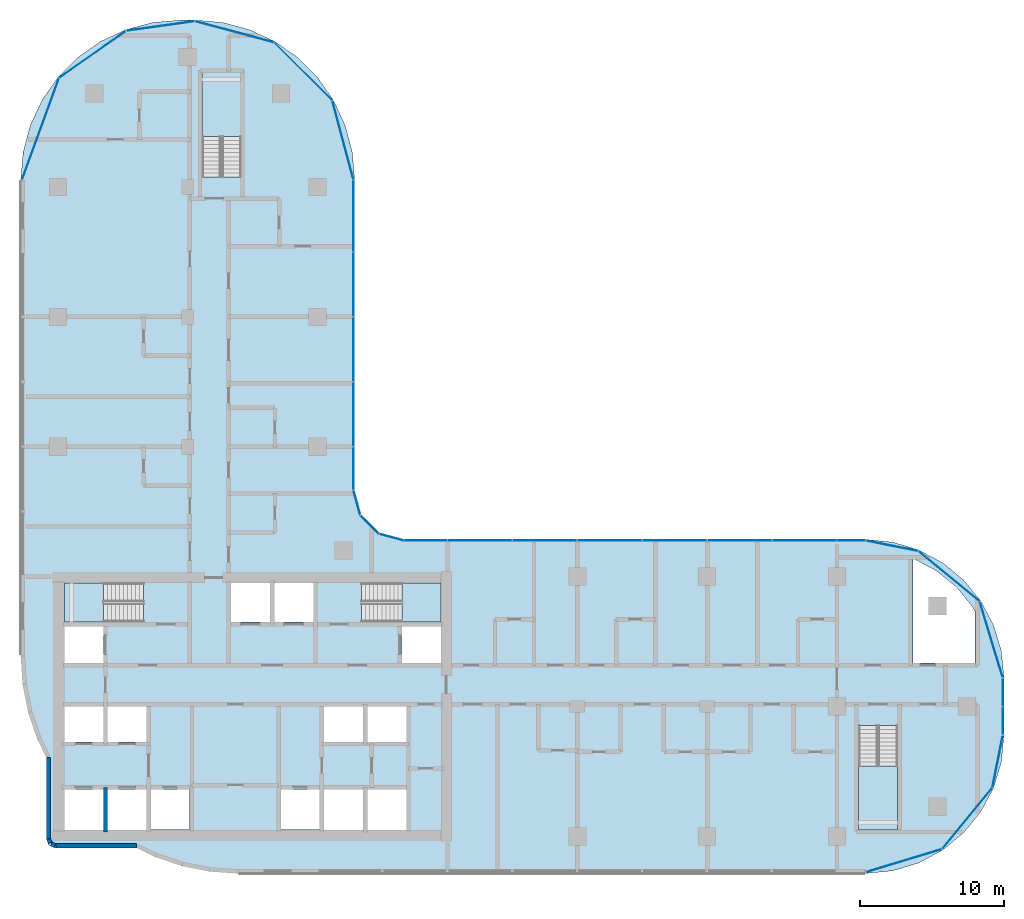
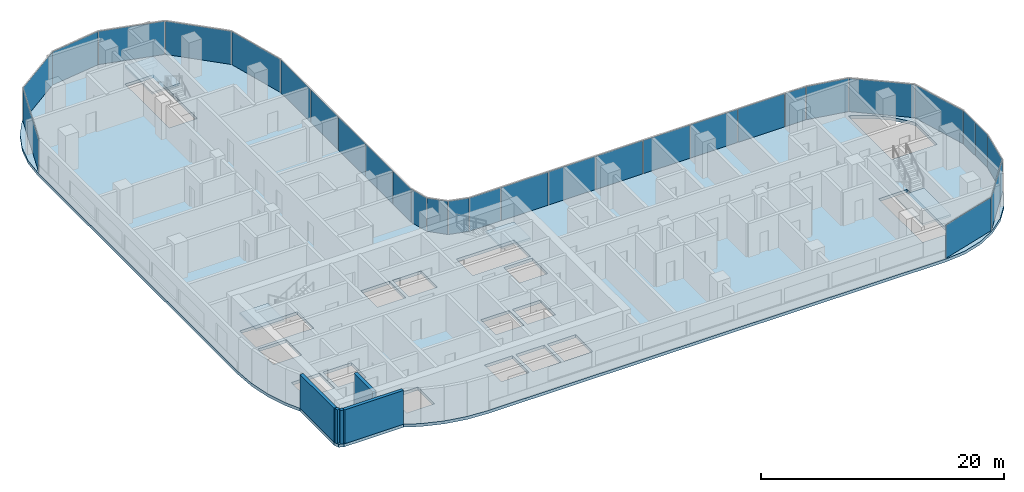
# One storey, part 9 of 23: 30 plates, 5 slabs, 5 walls, 11 elements without a shape of their own.
"""IFC4 building model written with IfcOpenShell, lengths in metres."""

from ifc_helpers import new_model, si_unit, direction, frame, frame_2d, origin, origin_2d, place, context, subcontext, project, spatial, polyline, rectangle, outline, extrude, material, layer, layer_set, type_object, element, aggregate, save


model = new_model("IFC4")

# Units and contexts
model_context = context("Model", 3, precision=1e-05, world=origin(), true_north=direction((0.0, 1.0)))
body_context = subcontext(model_context, "Body", "Model", "MODEL_VIEW")
ifc_project = project(units=[si_unit("LENGTHUNIT", "METRE"), si_unit("AREAUNIT", "SQUARE_METRE"), si_unit("VOLUMEUNIT", "CUBIC_METRE"), si_unit("PLANEANGLEUNIT", "RADIAN"), si_unit("MASSUNIT", "GRAM", prefix="KILO")], contexts=[model_context])

# Site, building, storey
site_placement = place(None, origin())
site = spatial("IfcSite", under=ifc_project, at=site_placement, CompositionType="ELEMENT")
building_placement = place(site_placement, origin())
building = spatial("IfcBuilding", under=site, at=building_placement, Name="Ogive Portal Towers", CompositionType="ELEMENT")
storey_placement = place(building_placement, frame((0.0, 0.0, 120.39990234375)))
storey = spatial("IfcBuildingStorey", under=building, at=storey_placement, Name="L29", CompositionType="ELEMENT", Elevation=120.39990234375)

# Curtain wall, plates
ifc_material_1 = material(Name="Glass, clear low-iron insulated glazing", Category="glass")
curtain_wall_type = type_object("IfcCurtainWallType", Name="CW FRONT RIBBON 4500", PredefinedType="NOTDEFINED", material=ifc_material_1)
curtain_wall_1_placement = place(storey_placement, origin())
curtain_wall_1 = element("IfcCurtainWall", 1, at=curtain_wall_1_placement, inside=storey, type_object=curtain_wall_type, Name="A:L29:f12:cw0", PredefinedType="NOTDEFINED")
ifc_layer_1 = layer(ifc_material_1, 0.028076171875)
ifc_layer_set_1 = layer_set([ifc_layer_1], Name="CW PANEL IGU 28")
plate_type = type_object("IfcPlateType", Name="CW PANEL IGU 28", PredefinedType="CURTAIN_PANEL", material=ifc_layer_set_1)
plate_1_placement = place(storey_placement, frame((96.9951171875, 29.50390625, 0.0), z_axis=(0.0, 0.0, 1.0), x_axis=(0.0, 1.0, 0.0)))
plate_1 = element("IfcPlate", 2, at=plate_1_placement, type_object=plate_type, Name="panel", PredefinedType="CURTAIN_PANEL", context=body_context, shape_type="SweptSolid", body=[
    extrude(rectangle(XDim=1.93212890625, YDim=0.028076171875, at=origin_2d()), origin(), (0.0, 0.0, 1.0), 3.340087890625),
])
plate_2_placement = place(storey_placement, frame((96.9951171875, 31.494140625, 0.0), z_axis=(0.0, 0.0, 1.0), x_axis=(0.0, 1.0, 0.0)))
plate_2 = element("IfcPlate", 3, at=plate_2_placement, type_object=plate_type, Name="panel", PredefinedType="CURTAIN_PANEL", context=body_context, shape_type="SweptSolid", body=[
    extrude(rectangle(XDim=1.92822265625, YDim=0.028076171875, at=origin_2d()), origin(), (0.0, 0.0, 1.0), 3.340087890625),
])
aggregate(curtain_wall_1, [plate_1, plate_2])

curtain_wall_2_placement = place(storey_placement, origin())
curtain_wall_2 = element("IfcCurtainWall", 4, at=curtain_wall_2_placement, inside=storey, type_object=curtain_wall_type, Name="A:L29:f16:cw0", PredefinedType="NOTDEFINED")
plate_3_placement = place(storey_placement, frame((86.49609375, 41.9951171875, 0.0), z_axis=(0.0, 0.0, 1.0), x_axis=(-1.0, 0.0, 0.0)))
plate_3 = element("IfcPlate", 5, at=plate_3_placement, type_object=plate_type, Name="panel", PredefinedType="CURTAIN_PANEL", context=body_context, shape_type="SweptSolid", body=[
    extrude(rectangle(XDim=1.93212890625, YDim=0.028076171875, at=origin_2d()), origin(), (0.0, 0.0, 1.0), 3.340087890625),
])
plate_4_placement = place(storey_placement, frame((83.25, 41.9951171875, 0.0), z_axis=(0.0, 0.0, 1.0), x_axis=(-1.0, 0.0, 0.0)))
plate_4 = element("IfcPlate", 6, at=plate_4_placement, type_object=plate_type, Name="panel", PredefinedType="CURTAIN_PANEL", context=body_context, shape_type="SweptSolid", body=[
    extrude(rectangle(XDim=4.43994140625, YDim=0.028076171875, at=origin_2d()), origin(), (0.0, 0.0, 1.0), 3.340087890625),
])
plate_5_placement = place(storey_placement, frame((78.75, 41.9951171875, 0.0), z_axis=(0.0, 0.0, 1.0), x_axis=(-1.0, 0.0, 0.0)))
plate_5 = element("IfcPlate", 7, at=plate_5_placement, type_object=plate_type, Name="panel", PredefinedType="CURTAIN_PANEL", context=body_context, shape_type="SweptSolid", body=[
    extrude(rectangle(XDim=4.43994140625, YDim=0.028076171875, at=origin_2d()), origin(), (0.0, 0.0, 1.0), 3.340087890625),
])
plate_6_placement = place(storey_placement, frame((74.25, 41.9951171875, 0.0), z_axis=(0.0, 0.0, 1.0), x_axis=(-1.0, 0.0, 0.0)))
plate_6 = element("IfcPlate", 8, at=plate_6_placement, type_object=plate_type, Name="panel", PredefinedType="CURTAIN_PANEL", context=body_context, shape_type="SweptSolid", body=[
    extrude(rectangle(XDim=4.43994140625, YDim=0.028076171875, at=origin_2d()), origin(), (0.0, 0.0, 1.0), 3.340087890625),
])
plate_7_placement = place(storey_placement, frame((69.75, 41.9951171875, 0.0), z_axis=(0.0, 0.0, 1.0), x_axis=(-1.0, 0.0, 0.0)))
plate_7 = element("IfcPlate", 9, at=plate_7_placement, type_object=plate_type, Name="panel", PredefinedType="CURTAIN_PANEL", context=body_context, shape_type="SweptSolid", body=[
    extrude(rectangle(XDim=4.43994140625, YDim=0.028076171875, at=origin_2d()), origin(), (0.0, 0.0, 1.0), 3.340087890625),
])
plate_8_placement = place(storey_placement, frame((65.25, 41.9951171875, 0.0), z_axis=(0.0, 0.0, 1.0), x_axis=(-1.0, 0.0, 0.0)))
plate_8 = element("IfcPlate", 10, at=plate_8_placement, type_object=plate_type, Name="panel", PredefinedType="CURTAIN_PANEL", context=body_context, shape_type="SweptSolid", body=[
    extrude(rectangle(XDim=4.43994140625, YDim=0.028076171875, at=origin_2d()), origin(), (0.0, 0.0, 1.0), 3.340087890625),
])
plate_9_placement = place(storey_placement, frame((60.75, 41.9951171875, 0.0), z_axis=(0.0, 0.0, 1.0), x_axis=(-1.0, 0.0, 0.0)))
plate_9 = element("IfcPlate", 11, at=plate_9_placement, type_object=plate_type, Name="panel", PredefinedType="CURTAIN_PANEL", context=body_context, shape_type="SweptSolid", body=[
    extrude(rectangle(XDim=4.43994140625, YDim=0.028076171875, at=origin_2d()), origin(), (0.0, 0.0, 1.0), 3.340087890625),
])
plate_10_placement = place(storey_placement, frame((56.99462890625, 41.9951171875, 0.0), z_axis=(0.0, 0.0, 1.0), x_axis=(-1.0, 0.0, 0.0)))
plate_10 = element("IfcPlate", 12, at=plate_10_placement, type_object=plate_type, Name="panel", PredefinedType="CURTAIN_PANEL", context=body_context, shape_type="SweptSolid", body=[
    extrude(rectangle(XDim=2.950439453125, YDim=0.028076171875, at=origin_2d()), origin(), (0.0, 0.0, 1.0), 3.340087890625),
])
aggregate(curtain_wall_2, [plate_3, plate_4, plate_5, plate_6, plate_7, plate_8, plate_9, plate_10])

curtain_wall_3_placement = place(storey_placement, origin())
curtain_wall_3 = element("IfcCurtainWall", 13, at=curtain_wall_3_placement, inside=storey, type_object=curtain_wall_type, Name="A:L29:f20:cw0", PredefinedType="NOTDEFINED")
plate_11_placement = place(storey_placement, frame((51.9951171875, 46.99462890625, 0.0), z_axis=(0.0, 0.0, 1.0), x_axis=(0.0, 1.0, 0.0)))
plate_11 = element("IfcPlate", 14, at=plate_11_placement, type_object=plate_type, Name="panel", PredefinedType="CURTAIN_PANEL", context=body_context, shape_type="SweptSolid", body=[
    extrude(rectangle(XDim=2.950439453125, YDim=0.028076171875, at=origin_2d()), origin(), (0.0, 0.0, 1.0), 3.340087890625),
])
plate_12_placement = place(storey_placement, frame((51.9951171875, 50.75, 0.0), z_axis=(0.0, 0.0, 1.0), x_axis=(0.0, 1.0, 0.0)))
plate_12 = element("IfcPlate", 15, at=plate_12_placement, type_object=plate_type, Name="panel", PredefinedType="CURTAIN_PANEL", context=body_context, shape_type="SweptSolid", body=[
    extrude(rectangle(XDim=4.43994140625, YDim=0.028076171875, at=origin_2d()), origin(), (0.0, 0.0, 1.0), 3.340087890625),
])
plate_13_placement = place(storey_placement, frame((51.9951171875, 55.25, 0.0), z_axis=(0.0, 0.0, 1.0), x_axis=(0.0, 1.0, 0.0)))
plate_13 = element("IfcPlate", 16, at=plate_13_placement, type_object=plate_type, Name="panel", PredefinedType="CURTAIN_PANEL", context=body_context, shape_type="SweptSolid", body=[
    extrude(rectangle(XDim=4.43994140625, YDim=0.028076171875, at=origin_2d()), origin(), (0.0, 0.0, 1.0), 3.340087890625),
])
plate_14_placement = place(storey_placement, frame((51.9951171875, 59.75, 0.0), z_axis=(0.0, 0.0, 1.0), x_axis=(0.0, 1.0, 0.0)))
plate_14 = element("IfcPlate", 17, at=plate_14_placement, type_object=plate_type, Name="panel", PredefinedType="CURTAIN_PANEL", context=body_context, shape_type="SweptSolid", body=[
    extrude(rectangle(XDim=4.43994140625, YDim=0.028076171875, at=origin_2d()), origin(), (0.0, 0.0, 1.0), 3.340087890625),
])
plate_15_placement = place(storey_placement, frame((51.9951171875, 64.49462890625, 0.0), z_axis=(0.0, 0.0, 1.0), x_axis=(0.0, 1.0, 0.0)))
plate_15 = element("IfcPlate", 18, at=plate_15_placement, type_object=plate_type, Name="panel", PredefinedType="CURTAIN_PANEL", context=body_context, shape_type="SweptSolid", body=[
    extrude(rectangle(XDim=4.929443359375, YDim=0.028076171875, at=origin_2d()), origin(), (0.0, 0.0, 1.0), 3.340087890625),
])
aggregate(curtain_wall_3, [plate_11, plate_12, plate_13, plate_14, plate_15])

curtain_wall_4_placement = place(storey_placement, origin())
curtain_wall_4 = element("IfcCurtainWall", 19, at=curtain_wall_4_placement, inside=storey, type_object=curtain_wall_type, Name="A:L29:f09:cwa", PredefinedType="NOTDEFINED")
plate_16_placement = place(storey_placement, frame((90.130615234375, 19.806640625, 0.0), z_axis=(0.0, 0.0, 1.0), x_axis=(0.956940335732, 0.290284677254, 0.0)))
plate_16 = element("IfcPlate", 20, at=plate_16_placement, type_object=plate_type, Name="panel", PredefinedType="CURTAIN_PANEL", context=body_context, shape_type="SweptSolid", body=[
    extrude(rectangle(XDim=5.462890625, YDim=0.028076171875, at=origin_2d()), origin(), (0.0, 0.0, 1.0), 3.340087890625),
])
plate_17_placement = place(storey_placement, frame((94.5224609375, 22.73974609375, 0.0), z_axis=(0.0, 0.0, 1.0), x_axis=(0.634393284164, 0.773010453363, 0.0)))
plate_17 = element("IfcPlate", 21, at=plate_17_placement, type_object=plate_type, Name="panel", PredefinedType="CURTAIN_PANEL", context=body_context, shape_type="SweptSolid", body=[
    extrude(rectangle(XDim=5.45458984375, YDim=0.028076171875, at=origin_2d()), origin(), (0.0, 0.0, 1.0), 3.340087890625),
])
plate_18_placement = place(storey_placement, frame((96.63330078125, 26.689453125, 0.0), z_axis=(0.0, 0.0, 1.0), x_axis=(0.195090322016, 0.980785280403, 0.0)))
plate_18 = element("IfcPlate", 22, at=plate_18_placement, type_object=plate_type, Name="panel", PredefinedType="CURTAIN_PANEL", context=body_context, shape_type="SweptSolid", body=[
    extrude(rectangle(XDim=3.64794921875, YDim=0.028076171875, at=origin_2d()), origin(), (0.0, 0.0, 1.0), 3.340087890625),
])
aggregate(curtain_wall_4, [plate_16, plate_17, plate_18])

curtain_wall_5_placement = place(storey_placement, origin())
curtain_wall_5 = element("IfcCurtainWall", 23, at=curtain_wall_5_placement, inside=storey, type_object=curtain_wall_type, Name="A:L29:f13:cwa", PredefinedType="NOTDEFINED")
plate_19_placement = place(storey_placement, frame((96.193359375, 35.130615234375, 0.0), z_axis=(0.0, 0.0, 1.0), x_axis=(-0.290284677254, 0.956940335732, 0.0)))
plate_19 = element("IfcPlate", 24, at=plate_19_placement, type_object=plate_type, Name="panel", PredefinedType="CURTAIN_PANEL", context=body_context, shape_type="SweptSolid", body=[
    extrude(rectangle(XDim=5.462890625, YDim=0.028076171875, at=origin_2d()), origin(), (0.0, 0.0, 1.0), 3.340087890625),
])
plate_20_placement = place(storey_placement, frame((93.26025390625, 39.5224609375, 0.0), z_axis=(0.0, 0.0, 1.0), x_axis=(-0.773010453363, 0.634393284164, 0.0)))
plate_20 = element("IfcPlate", 25, at=plate_20_placement, type_object=plate_type, Name="panel", PredefinedType="CURTAIN_PANEL", context=body_context, shape_type="SweptSolid", body=[
    extrude(rectangle(XDim=5.45458984375, YDim=0.028076171875, at=origin_2d()), origin(), (0.0, 0.0, 1.0), 3.340087890625),
])
plate_21_placement = place(storey_placement, frame((89.310546875, 41.63330078125, 0.0), z_axis=(0.0, 0.0, 1.0), x_axis=(-0.980785280403, 0.195090322016, 0.0)))
plate_21 = element("IfcPlate", 26, at=plate_21_placement, type_object=plate_type, Name="panel", PredefinedType="CURTAIN_PANEL", context=body_context, shape_type="SweptSolid", body=[
    extrude(rectangle(XDim=3.64794921875, YDim=0.028076171875, at=origin_2d()), origin(), (0.0, 0.0, 1.0), 3.340087890625),
])
aggregate(curtain_wall_5, [plate_19, plate_20, plate_21])

curtain_wall_6_placement = place(storey_placement, origin())
curtain_wall_6 = element("IfcCurtainWall", 27, at=curtain_wall_6_placement, inside=storey, type_object=curtain_wall_type, Name="A:L29:f17:cwa", PredefinedType="NOTDEFINED")
plate_22_placement = place(storey_placement, frame((54.61767578125, 42.228515625, 0.0), z_axis=(0.0, 0.0, 1.0), x_axis=(-0.965925826289, 0.258819045103, 0.0)))
plate_22 = element("IfcPlate", 28, at=plate_22_placement, type_object=plate_type, Name="panel", PredefinedType="CURTAIN_PANEL", context=body_context, shape_type="SweptSolid", body=[
    extrude(rectangle(XDim=1.744873046875, YDim=0.028076171875, at=origin_2d()), origin(), (0.0, 0.0, 1.0), 3.340087890625),
])
plate_23_placement = place(storey_placement, frame((53.10400390625, 43.10400390625, 0.0), z_axis=(0.0, 0.0, 1.0), x_axis=(-0.707106781187, 0.707106781187, 0.0)))
plate_23 = element("IfcPlate", 29, at=plate_23_placement, type_object=plate_type, Name="panel", PredefinedType="CURTAIN_PANEL", context=body_context, shape_type="SweptSolid", body=[
    extrude(rectangle(XDim=1.755859375, YDim=0.028076171875, at=origin_2d()), origin(), (0.0, 0.0, 1.0), 3.340087890625),
])
plate_24_placement = place(storey_placement, frame((52.228515625, 44.61767578125, 0.0), z_axis=(0.0, 0.0, 1.0), x_axis=(-0.258819045103, 0.965925826289, 0.0)))
plate_24 = element("IfcPlate", 30, at=plate_24_placement, type_object=plate_type, Name="panel", PredefinedType="CURTAIN_PANEL", context=body_context, shape_type="SweptSolid", body=[
    extrude(rectangle(XDim=1.744873046875, YDim=0.028076171875, at=origin_2d()), origin(), (0.0, 0.0, 1.0), 3.340087890625),
])
aggregate(curtain_wall_6, [plate_22, plate_23, plate_24])

curtain_wall_7_placement = place(storey_placement, origin())
curtain_wall_7 = element("IfcCurtainWall", 31, at=curtain_wall_7_placement, inside=storey, type_object=curtain_wall_type, Name="A:L29:f21:cwa", PredefinedType="NOTDEFINED")
plate_25_placement = place(storey_placement, frame((51.25732421875, 69.74267578125, 0.0), z_axis=(0.0, 0.0, 1.0), x_axis=(-0.258819045103, 0.965925826289, 0.0)))
plate_25 = element("IfcPlate", 32, at=plate_25_placement, type_object=plate_type, Name="panel", PredefinedType="CURTAIN_PANEL", context=body_context, shape_type="SweptSolid", body=[
    extrude(rectangle(XDim=5.640869140625, YDim=0.028076171875, at=origin_2d()), origin(), (0.0, 0.0, 1.0), 3.340087890625),
])
plate_26_placement = place(storey_placement, frame((48.5078125, 74.5078125, 0.0), z_axis=(0.0, 0.0, 1.0), x_axis=(-0.707106781187, 0.707106781187, 0.0)))
plate_26 = element("IfcPlate", 33, at=plate_26_placement, type_object=plate_type, Name="panel", PredefinedType="CURTAIN_PANEL", context=body_context, shape_type="SweptSolid", body=[
    extrude(rectangle(XDim=5.6298828125, YDim=0.028076171875, at=origin_2d()), origin(), (0.0, 0.0, 1.0), 3.340087890625),
])
plate_27_placement = place(storey_placement, frame((43.74560546875, 77.256591796875, 0.0), z_axis=(0.0, 0.0, 1.0), x_axis=(-0.965925826289, 0.258819045103, 0.0)))
plate_27 = element("IfcPlate", 34, at=plate_27_placement, type_object=plate_type, Name="panel", PredefinedType="CURTAIN_PANEL", context=body_context, shape_type="SweptSolid", body=[
    extrude(rectangle(XDim=5.63525390625, YDim=0.028076171875, at=origin_2d()), origin(), (0.0, 0.0, 1.0), 3.340087890625),
])
plate_28_placement = place(storey_placement, frame((38.61865234375, 77.662109375, 0.0), z_axis=(0.0, 0.0, 1.0), x_axis=(-0.990409738761, -0.138161316467, 0.0)))
plate_28 = element("IfcPlate", 35, at=plate_28_placement, type_object=plate_type, Name="panel", PredefinedType="CURTAIN_PANEL", context=body_context, shape_type="SweptSolid", body=[
    extrude(rectangle(XDim=4.73876953125, YDim=0.028076171875, at=origin_2d()), origin(), (0.0, 0.0, 1.0), 3.340087890625),
])
plate_29_placement = place(storey_placement, frame((33.912353515625, 75.69921875, 0.0), z_axis=(0.0, 0.0, 1.0), x_axis=(-0.819152044289, -0.573576436351, 0.0)))
plate_29 = element("IfcPlate", 36, at=plate_29_placement, type_object=plate_type, Name="panel", PredefinedType="CURTAIN_PANEL", context=body_context, shape_type="SweptSolid", body=[
    extrude(rectangle(XDim=5.62841796875, YDim=0.028076171875, at=origin_2d()), origin(), (0.0, 0.0, 1.0), 3.340087890625),
])
plate_30_placement = place(storey_placement, frame((30.293701171875, 70.52685546875, 0.0), z_axis=(0.0, 0.0, 1.0), x_axis=(-0.342020143326, -0.939692620786, 0.0)))
plate_30 = element("IfcPlate", 37, at=plate_30_placement, type_object=plate_type, Name="panel", PredefinedType="CURTAIN_PANEL", context=body_context, shape_type="SweptSolid", body=[
    extrude(rectangle(XDim=7.476318359375, YDim=0.028076171875, at=origin_2d()), origin(), (0.0, 0.0, 1.0), 3.340087890625),
])
aggregate(curtain_wall_7, [plate_25, plate_26, plate_27, plate_28, plate_29, plate_30])

# Stair, slab
ifc_material_2 = material(Name="Concrete C40/50", Category="concrete")
stair_type = type_object("IfcStairType", Name="INT-STAIR", PredefinedType="HALF_TURN_STAIR", material=ifc_material_2)
stair_1_placement = place(storey_placement, origin())
stair_1 = element("IfcStair", 38, at=stair_1_placement, inside=storey, type_object=stair_type, Name="L29 Exit Stair ST-A1", PredefinedType="HALF_TURN_STAIR")
ifc_layer_2 = layer(ifc_material_2, 0.199951171875)
ifc_layer_set_2 = layer_set([ifc_layer_2], Name="INT-LANDING")
slab_type_1 = type_object("IfcSlabType", Name="INT-LANDING", PredefinedType="LANDING", material=ifc_layer_set_2)
slab_1_placement = place(storey_placement, frame((0.0, 0.0, 1.650146484375)))
slab_1 = element("IfcSlab", 39, at=slab_1_placement, type_object=slab_type_1, Name="ST-A1 landing 1", PredefinedType="LANDING", context=body_context, shape_type="SweptSolid", body=[
    extrude(outline(polyline([(34.64990234375, 39.050048828125), (31.949951171875, 39.050048828125), (31.949951171875, 36.35009765625), (34.64990234375, 36.35009765625), (34.64990234375, 39.050048828125)])), origin(), (0.0, 0.0, 1.0), 0.199951171875),
])
aggregate(stair_1, [slab_1])

stair_2_placement = place(storey_placement, origin())
stair_2 = element("IfcStair", 40, at=stair_2_placement, inside=storey, type_object=stair_type, Name="L29 Exit Stair ST-A2", PredefinedType="HALF_TURN_STAIR")
slab_2_placement = place(storey_placement, frame((0.0, 0.0, 1.650146484375)))
slab_2 = element("IfcSlab", 41, at=slab_2_placement, type_object=slab_type_1, Name="ST-A2 landing 1", PredefinedType="LANDING", context=body_context, shape_type="SweptSolid", body=[
    extrude(outline(polyline([(55.35009765625, 36.35009765625), (58.050048828125, 36.35009765625), (58.050048828125, 39.050048828125), (55.35009765625, 39.050048828125), (55.35009765625, 36.35009765625)])), origin(), (0.0, 0.0, 1.0), 0.199951171875),
])
aggregate(stair_2, [slab_2])

stair_3_placement = place(storey_placement, origin())
stair_3 = element("IfcStair", 42, at=stair_3_placement, inside=storey, type_object=stair_type, Name="L29 Exit Stair ST-A3", PredefinedType="HALF_TURN_STAIR")
slab_3_placement = place(storey_placement, frame((0.0, 0.0, 1.650146484375)))
slab_3 = element("IfcSlab", 43, at=slab_3_placement, type_object=slab_type_1, Name="ST-A3 landing 1", PredefinedType="LANDING", context=body_context, shape_type="SweptSolid", body=[
    extrude(outline(polyline([(44.199951171875, 70.0), (44.199951171875, 74.449951171875), (41.5, 74.449951171875), (41.5, 70.0), (44.199951171875, 70.0)])), origin(), (0.0, 0.0, 1.0), 0.199951171875),
])
aggregate(stair_3, [slab_3])

stair_4_placement = place(storey_placement, origin())
stair_4 = element("IfcStair", 44, at=stair_4_placement, inside=storey, type_object=stair_type, Name="L29 Exit Stair ST-A4", PredefinedType="HALF_TURN_STAIR")
slab_4_placement = place(storey_placement, frame((0.0, 0.0, 1.650146484375)))
slab_4 = element("IfcSlab", 45, at=slab_4_placement, type_object=slab_type_1, Name="ST-A4 landing 1", PredefinedType="LANDING", context=body_context, shape_type="SweptSolid", body=[
    extrude(outline(polyline([(87.0, 26.3701171875), (87.0, 21.949951171875), (89.699951171875, 21.949951171875), (89.699951171875, 26.3701171875), (87.0, 26.3701171875)])), origin(), (0.0, 0.0, 1.0), 0.199951171875),
])
aggregate(stair_4, [slab_4])

# Slab
ifc_material_3 = material(Name="Concrete C45/55", Category="concrete")
ifc_layer_3 = layer(ifc_material_3, 0.300048828125)
ifc_layer_set_3 = layer_set([ifc_layer_3], Name="PT FLAT PLATE 300")
slab_type_2 = type_object("IfcSlabType", Name="PT FLAT PLATE 300", PredefinedType="FLOOR", material=ifc_layer_set_3)
slab_5_placement = place(storey_placement, frame((0.0, 0.0, -0.2998046875)))
element("IfcSlab", 46, at=slab_5_placement, inside=storey, type_object=slab_type_2, Name="Floor slab L29", PredefinedType="FLOOR", context=body_context, shape_type="SweptSolid", body=[
    extrude(outline(polyline([(29.438720703125, 30.098388671875), (30.072509765625, 28.23095703125), (30.699951171875, 26.95849609375), (30.699951171875, 21.300048828125), (30.875732421875, 20.875732421875), (31.300048828125, 20.699951171875), (36.95849609375, 20.699951171875), (38.23095703125, 20.072509765625), (40.098388671875, 19.438720703125), (42.0322265625, 19.053955078125), (44.0, 18.925048828125), (87.5, 18.925048828125), (89.367919921875, 19.10888671875), (91.164306640625, 19.65380859375), (92.819580078125, 20.538818359375), (94.2705078125, 21.7294921875), (95.461181640625, 23.180419921875), (96.34619140625, 24.835693359375), (96.89111328125, 26.632080078125), (97.074951171875, 28.5), (97.074951171875, 32.5), (96.89111328125, 34.367919921875), (96.34619140625, 36.164306640625), (95.461181640625, 37.819580078125), (94.2705078125, 39.2705078125), (92.819580078125, 40.461181640625), (91.164306640625, 41.34619140625), (89.367919921875, 41.89111328125), (87.5, 42.074951171875), (55.5, 42.074951171875), (53.78759765625, 42.533935546875), (52.533935546875, 43.78759765625), (52.074951171875, 45.5), (52.074951171875, 67.0), (51.90673828125, 68.923095703125), (51.406982421875, 70.787841796875), (50.59130859375, 72.53759765625), (49.48388671875, 74.118896484375), (48.118896484375, 75.48388671875), (46.53759765625, 76.59130859375), (44.787841796875, 77.406982421875), (42.923095703125, 77.90673828125), (41.0, 78.074951171875), (40.0, 78.074951171875), (38.076904296875, 77.90673828125), (36.212158203125, 77.406982421875), (34.46240234375, 76.59130859375), (32.881103515625, 75.48388671875), (31.51611328125, 74.118896484375), (30.40869140625, 72.53759765625), (29.593017578125, 70.787841796875), (29.09326171875, 68.923095703125), (28.925048828125, 67.0), (28.925048828125, 34.0), (29.053955078125, 32.0322265625), (29.438720703125, 30.098388671875)]), holes=[polyline([(34.64990234375, 24.75), (34.64990234375, 21.949951171875), (31.949951171875, 21.949951171875), (31.949951171875, 24.75), (34.64990234375, 24.75)]), polyline([(37.64990234375, 24.75), (37.64990234375, 21.949951171875), (34.949951171875, 21.949951171875), (34.949951171875, 24.75), (37.64990234375, 24.75)]), polyline([(40.6298828125, 21.969970703125), (37.969970703125, 21.969970703125), (37.969970703125, 24.72998046875), (40.6298828125, 24.72998046875), (40.6298828125, 21.969970703125)]), polyline([(34.64990234375, 30.5), (34.64990234375, 28.050048828125), (31.949951171875, 28.050048828125), (31.949951171875, 30.5), (34.64990234375, 30.5)]), polyline([(37.64990234375, 30.5), (37.64990234375, 28.050048828125), (34.949951171875, 28.050048828125), (34.949951171875, 30.5), (37.64990234375, 30.5)]), polyline([(34.64990234375, 36.050048828125), (34.64990234375, 33.5), (31.949951171875, 33.5), (31.949951171875, 36.050048828125), (34.64990234375, 36.050048828125)]), polyline([(31.951904296875, 39.048095703125), (37.447998046875, 39.048095703125), (37.447998046875, 36.35205078125), (31.951904296875, 36.35205078125), (31.951904296875, 39.048095703125)]), polyline([(46.199951171875, 36.35009765625), (43.5, 36.35009765625), (43.5, 39.050048828125), (46.199951171875, 39.050048828125), (46.199951171875, 36.35009765625)]), polyline([(49.199951171875, 36.35009765625), (46.5, 36.35009765625), (46.5, 39.050048828125), (49.199951171875, 39.050048828125), (49.199951171875, 36.35009765625)]), polyline([(44.197998046875, 74.447998046875), (44.197998046875, 67.201904296875), (41.501953125, 67.201904296875), (41.501953125, 74.447998046875), (44.197998046875, 74.447998046875)]), polyline([(49.6298828125, 21.969970703125), (46.969970703125, 21.969970703125), (46.969970703125, 24.72998046875), (49.6298828125, 24.72998046875), (49.6298828125, 21.969970703125)]), polyline([(52.64990234375, 24.75), (52.64990234375, 21.949951171875), (49.949951171875, 21.949951171875), (49.949951171875, 24.75), (52.64990234375, 24.75)]), polyline([(55.64990234375, 21.949951171875), (52.949951171875, 21.949951171875), (52.949951171875, 24.75), (55.64990234375, 24.75), (55.64990234375, 21.949951171875)]), polyline([(87.001953125, 29.16796875), (89.697998046875, 29.16796875), (89.697998046875, 21.951904296875), (87.001953125, 21.951904296875), (87.001953125, 29.16796875)]), polyline([(52.64990234375, 30.5), (52.64990234375, 28.050048828125), (49.949951171875, 28.050048828125), (49.949951171875, 30.5), (52.64990234375, 30.5)]), polyline([(55.64990234375, 30.5), (55.64990234375, 28.050048828125), (52.949951171875, 28.050048828125), (52.949951171875, 30.5), (55.64990234375, 30.5)]), polyline([(58.050048828125, 36.050048828125), (58.050048828125, 33.5), (55.35009765625, 33.5), (55.35009765625, 36.050048828125), (58.050048828125, 36.050048828125)]), polyline([(94.87646484375, 37.4287109375), (95.080078125, 37.048095703125), (95.080078125, 33.52001953125), (90.77001953125, 33.52001953125), (90.77001953125, 40.679931640625), (90.925537109375, 40.679931640625), (92.4287109375, 39.87646484375), (93.773193359375, 38.773193359375), (94.87646484375, 37.4287109375)]), polyline([(52.552001953125, 36.35205078125), (52.552001953125, 39.048095703125), (58.048095703125, 39.048095703125), (58.048095703125, 36.35205078125), (52.552001953125, 36.35205078125)])]), origin(), (0.0, 0.0, 1.0), 0.2998046875),
])

# Walls
ifc_material_4 = material(Name="Limestone cladding on lightweight block wall", Category="masonry")
ifc_layer_4 = layer(ifc_material_4, 0.300048828125)
ifc_layer_set_4 = layer_set([ifc_layer_4], Name="EXTERNAL WALL 300 STONE")
wall_type_1 = type_object("IfcWallType", Name="EXTERNAL WALL 300 STONE", PredefinedType="SOLIDWALL", material=ifc_layer_set_4)
wall_1_placement = place(storey_placement, frame((30.85009765625, 26.958740234375, 0.0), z_axis=(0.0, 0.0, 1.0), x_axis=(0.0, -1.0, 0.0)))
element("IfcWall", 47, at=wall_1_placement, inside=storey, type_object=wall_type_1, Name="A:L29:f00:r0:wall", PredefinedType="SOLIDWALL", context=body_context, shape_type="SweptSolid", body=[
    extrude(rectangle(XDim=5.59912109375, YDim=0.300048828125, at=frame_2d((2.799560546875, 0.0))), origin(), (0.0, 0.0, 1.0), 3.400146484375),
])
for number, where, z_axis, x_axis, name in (
    (48, (30.861328125, 21.30224609375, 0.0), (0.0, 0.0, 1.0), (0.38297812142, -0.923757413239, 0.0), "A:L29:f01:r0:wall"),
    (49, (31.0478515625, 20.966796875, 0.0), (0.0, 0.0, 1.0), (0.923757413239, -0.38297812142, 0.0), "A:L29:f02:r0:wall"),
):
    element("IfcWall", number, at=place(storey_placement, frame(where, z_axis=z_axis, x_axis=x_axis)), inside=storey, type_object=wall_type_1, Name=name, PredefinedType="SOLIDWALL", context=body_context, shape_type="SweptSolid", body=[
        extrude(rectangle(XDim=0.275390625, YDim=0.300048828125, at=frame_2d((0.1376953125, 0.0))), origin(), (0.0, 0.0, 1.0), 3.400146484375),
    ])
wall_2_placement = place(storey_placement, frame((31.359619140625, 20.85009765625, 0.0), z_axis=(0.0, 0.0, 1.0), x_axis=(1.0, 0.0, 0.0)))
element("IfcWall", 50, at=wall_2_placement, inside=storey, type_object=wall_type_1, Name="A:L29:f03:r0:wall", PredefinedType="SOLIDWALL", context=body_context, shape_type="SweptSolid", body=[
    extrude(rectangle(XDim=5.59912109375, YDim=0.300048828125, at=frame_2d((2.799560546875, 0.0))), origin(), (0.0, 0.0, 1.0), 3.400146484375),
])
ifc_layer_5 = layer(ifc_material_2, 0.300048828125)
ifc_layer_set_5 = layer_set([ifc_layer_5], Name="WT-SHAFT-300")
wall_type_2 = type_object("IfcWallType", Name="WT-SHAFT-300", PredefinedType="SOLIDWALL", material=ifc_layer_set_5)
wall_3_placement = place(storey_placement, frame((34.800048828125, 21.800048828125, 0.0), z_axis=(0.0, 0.0, 1.0), x_axis=(0.0, 1.0, 0.0)))
element("IfcWall", 51, at=wall_3_placement, inside=storey, type_object=wall_type_2, Name="Wall pw:007:L29", PredefinedType="SOLIDWALL", context=body_context, shape_type="SweptSolid", body=[
    extrude(rectangle(XDim=3.099853515625, YDim=0.300048828125, at=frame_2d((1.5498046875, 0.0))), origin(), (0.0, 0.0, 1.0), 3.400146484375),
])

save(model, "model.ifc")
